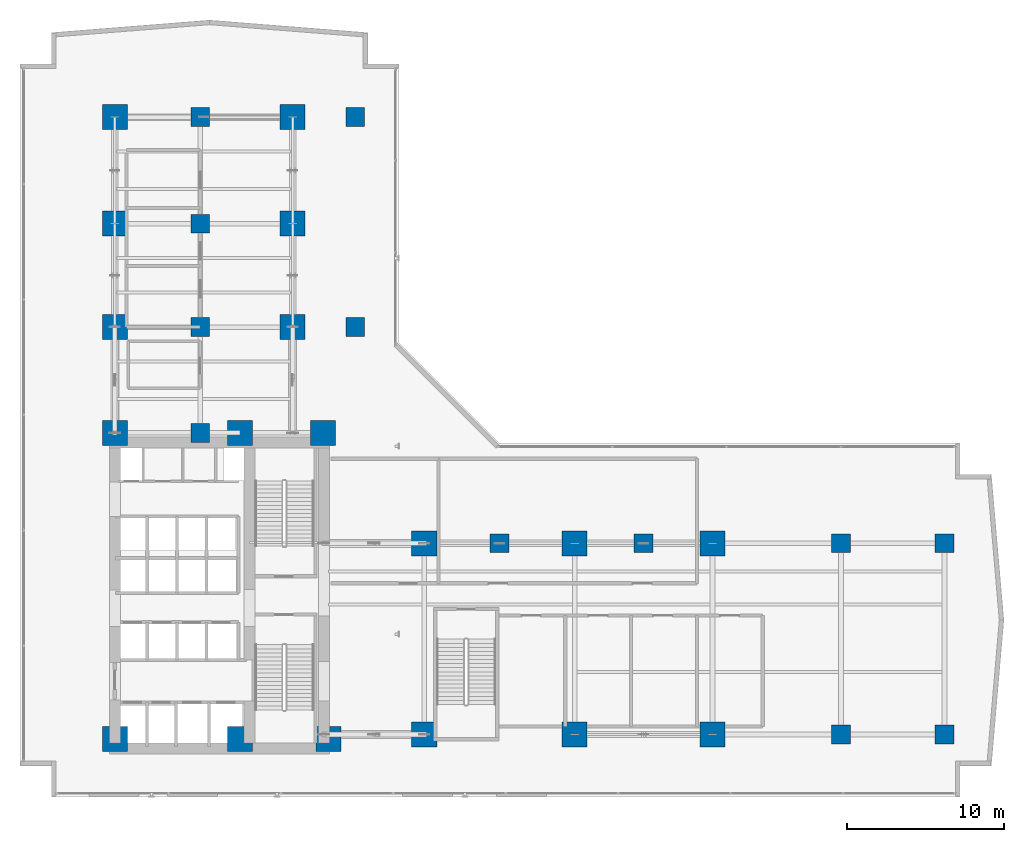
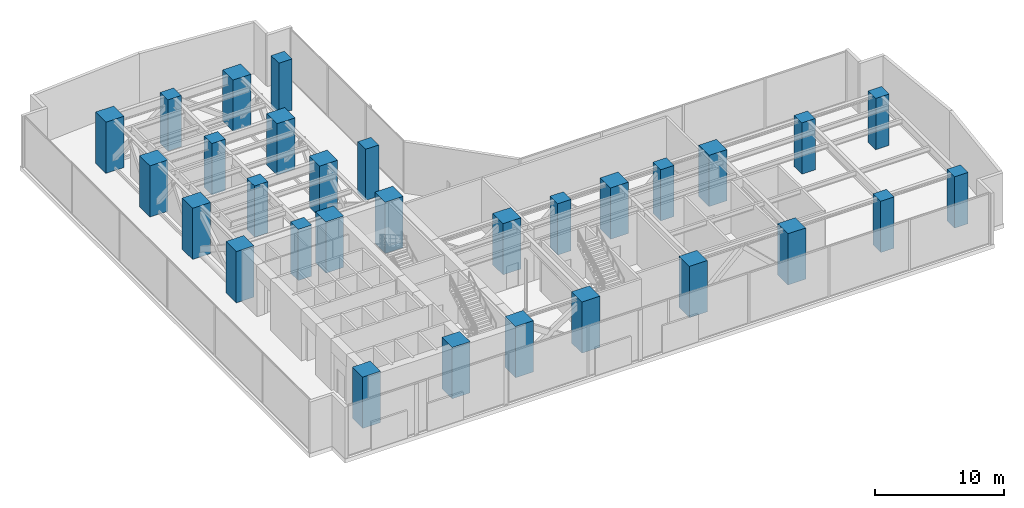
# One storey, part 1 of 36: 30 columns.
"""IFC4 building model written with IfcOpenShell, lengths in metres."""

import ifcopenshell
import ifcopenshell.guid

model = None  # the IFC model being written
_history = None  # IfcOwnerHistory: only IFC2X3 demands one
_inside = {}  # id of a spatial element -> (the spatial element, [elements in it])
_under = {}  # id of a project, library or spatial element -> (it, [spatial elements below it])
_declared = {}  # id of a project -> (the project, [libraries it declares])
_typed = {}  # id of a type object -> (the type object, [elements of that type])
_made_of = {}  # id of a material, layer set ... -> (it, [elements and type objects made of it])


def new_model(schema):
    """Start an empty IFC model of exactly this schema.

    Asked for "IFC4X3", IfcOpenShell would pick the latest addendum, in which some entities
    have other attributes; the version numbers below select the first issue.
    IFC2X3 requires an IfcOwnerHistory on every rooted entity: one is made here for all.
    """
    global model, _history
    if schema == "IFC4X3":
        model = ifcopenshell.file(schema_version=(4, 3, 0, 0))
    else:
        model = ifcopenshell.file(schema=schema)
    _inside.clear()
    _under.clear()
    _declared.clear()
    _typed.clear()
    _made_of.clear()
    _history = None
    if model.schema == "IFC2X3":
        org = make("IfcOrganization", Name="unknown")
        user = make(
            "IfcPersonAndOrganization",
            ThePerson=make("IfcPerson", FamilyName="unknown"),
            TheOrganization=org,
        )
        app = make(
            "IfcApplication",
            ApplicationDeveloper=org,
            Version="unknown",
            ApplicationFullName="unknown",
            ApplicationIdentifier="unknown",
        )
        _history = make(
            "IfcOwnerHistory",
            OwningUser=user,
            OwningApplication=app,
            ChangeAction="ADDED",
            CreationDate=0,
        )
    return model


def make(cls, **values):
    """One entity of the class cls with the attributes given. An attribute that is None is left unset."""
    return model.create_entity(
        cls, **{name: value for name, value in values.items() if value is not None}
    )


def rooted(cls, **values):
    """An entity with a GlobalId (a new one), such as an element, a storey or a relation."""
    return make(cls, GlobalId=ifcopenshell.guid.new(), OwnerHistory=_history, **values)


def si_unit(unit_type, name, prefix=None):
    """IfcSIUnit, for example si_unit("LENGTHUNIT", "METRE", prefix="MILLI")."""
    return make("IfcSIUnit", UnitType=unit_type, Prefix=prefix, Name=name)


def assignment(units):
    """IfcUnitAssignment: the units of a project."""
    return None if units is None else make("IfcUnitAssignment", Units=units)


def point(xyz):
    """IfcCartesianPoint."""
    return None if xyz is None else make("IfcCartesianPoint", Coordinates=xyz)


def direction(xyz):
    """IfcDirection."""
    return None if xyz is None else make("IfcDirection", DirectionRatios=xyz)


def frame(location, z_axis=None, x_axis=None):
    """IfcAxis2Placement3D, a coordinate frame: its origin and axes. An axis left out is left unset."""
    return make(
        "IfcAxis2Placement3D",
        Location=point(location),
        Axis=direction(z_axis),
        RefDirection=direction(x_axis),
    )


def frame_2d(location, x_axis=None):
    """IfcAxis2Placement2D, a coordinate frame in the plane: its origin and x axis."""
    return make(
        "IfcAxis2Placement2D", Location=point(location), RefDirection=direction(x_axis)
    )


def origin():
    """The frame at (0, 0, 0) with its axes left unset."""
    return frame((0.0, 0.0, 0.0))


def origin_2d():
    """The frame at (0, 0) in the plane with its x axis left unset."""
    return frame_2d((0.0, 0.0))


def place(relative_to, where):
    """IfcLocalPlacement: puts the frame where relative to a parent placement (None: the world)."""
    return make(
        "IfcLocalPlacement", PlacementRelTo=relative_to, RelativePlacement=where
    )


def context(
    kind, dimensions, precision=None, world=None, true_north=None, identifier=None
):
    """IfcGeometricRepresentationContext, for example the 3D "Model" context."""
    return make(
        "IfcGeometricRepresentationContext",
        ContextIdentifier=identifier,
        ContextType=kind,
        CoordinateSpaceDimension=dimensions,
        Precision=precision,
        WorldCoordinateSystem=world,
        TrueNorth=true_north,
    )


def subcontext(parent, identifier, kind, view, scale=None):
    """IfcGeometricRepresentationSubContext, for example "Body" below "Model"."""
    return make(
        "IfcGeometricRepresentationSubContext",
        ContextIdentifier=identifier,
        ContextType=kind,
        ParentContext=parent,
        TargetScale=scale,
        TargetView=view,
    )


def project(units=None, contexts=None):
    """IfcProject with its units and contexts."""
    return rooted(
        "IfcProject",
        Name="project",
        RepresentationContexts=contexts,
        UnitsInContext=assignment(units),
    )


def spatial(cls, under=None, at=None, **own):
    """A site, building, storey or space (cls), placed at a placement, below another one or the project."""
    s = rooted(cls, ObjectPlacement=at, **own)
    if under is not None:
        _under.setdefault(under.id(), (under, []))[1].append(s)
    return s


def profile(cls, at=None, kind="AREA", **sizes):
    """A parametric profile (cls). Its sizes go by their IFC names, for example OverallWidth=200.0."""
    return make(cls, ProfileType=kind, Position=at, **sizes)


def rectangle(**sizes):
    """IfcRectangleProfileDef."""
    return profile("IfcRectangleProfileDef", **sizes)


def extrude(swept, where, along, depth):
    """IfcExtrudedAreaSolid: the profile swept, set in the frame where, extruded along a direction by depth."""
    return make(
        "IfcExtrudedAreaSolid",
        SweptArea=swept,
        Position=where,
        ExtrudedDirection=direction(along),
        Depth=depth,
    )


def shape(context_of_items, identifier, shape_type, items):
    """IfcShapeRepresentation: the items that make up one representation, for example the "Body"."""
    return make(
        "IfcShapeRepresentation",
        ContextOfItems=context_of_items,
        RepresentationIdentifier=identifier,
        RepresentationType=shape_type,
        Items=items,
    )


def material(Name=None, Category=None):
    """IfcMaterial."""
    return make("IfcMaterial", Name=Name, Category=Category)


def material_profile(
    of_material, cross_section, Name=None, Category=None, Priority=None
):
    """IfcMaterialProfile: a cross section and its material."""
    return make(
        "IfcMaterialProfile",
        Name=Name,
        Material=of_material,
        Profile=cross_section,
        Priority=Priority,
        Category=Category,
    )


def profile_set(profiles, Name=None, composite=None):
    """IfcMaterialProfileSet."""
    return make(
        "IfcMaterialProfileSet",
        Name=Name,
        MaterialProfiles=profiles,
        CompositeProfile=composite,
    )


def made_of(thing, what):
    """Note that an element or type object is made of a material, layer set ...; save() writes the relation."""
    if what is not None:
        _made_of.setdefault(what.id(), (what, []))[1].append(thing)
    return thing


def type_object(cls, material=None, **own):
    """A type object (cls), such as IfcWallType, which elements share."""
    return made_of(rooted(cls, **own), material)


def element(
    cls,
    number,
    at=None,
    inside=None,
    cuts=None,
    type_object=None,
    material=None,
    context=None,
    identifier="Body",
    shape_type=None,
    held_by="IfcProductDefinitionShape",
    body=None,
    shapes=None,
    **own,
):
    """One element of the class cls, such as IfcWall. Its Tag is "e" and its number.

    at: its placement. inside: the storey or other place that contains it. cuts: it is an
    opening in that element (IfcRelVoidsElement). A single representation is given by context,
    identifier, shape_type and body (its items); several are given by shapes. held_by: the class
    of the entity that holds the representations. save() writes the other relations.
    """
    e = rooted(cls, Tag="e%d" % number, ObjectPlacement=at, **own)
    if body is not None:
        shapes = [shape(context, identifier, shape_type, body)]
    if shapes is not None:
        e.Representation = make(held_by, Representations=shapes)
    if inside is not None:
        _inside.setdefault(inside.id(), (inside, []))[1].append(e)
    if cuts is not None:
        rooted(
            "IfcRelVoidsElement", RelatingBuildingElement=cuts, RelatedOpeningElement=e
        )
    if type_object is not None:
        _typed.setdefault(type_object.id(), (type_object, []))[1].append(e)
    return made_of(e, material)


def aggregate(whole, parts):
    """IfcRelAggregates: a whole, such as a stair, and the parts it consists of."""
    return rooted("IfcRelAggregates", RelatingObject=whole, RelatedObjects=parts)


def save(model, path):
    """Write the relations noted so far, then the file.

    IfcRelAggregates (storeys below a building ...), IfcRelContainedInSpatialStructure (elements
    in a storey), IfcRelDefinesByType, IfcRelAssociatesMaterial and IfcRelDeclares: one each for
    every whole, place, type object, material and project.
    """
    for whole, parts in _under.values():
        aggregate(whole, parts)
    for where, things in _inside.values():
        rooted(
            "IfcRelContainedInSpatialStructure",
            RelatedElements=things,
            RelatingStructure=where,
        )
    for kind, things in _typed.values():
        rooted("IfcRelDefinesByType", RelatedObjects=things, RelatingType=kind)
    for what, things in _made_of.values():
        rooted("IfcRelAssociatesMaterial", RelatedObjects=things, RelatingMaterial=what)
    for by, libraries in _declared.values():
        rooted("IfcRelDeclares", RelatingContext=by, RelatedDefinitions=libraries)
    model.write(path)


model = new_model("IFC4")

# Units and contexts
model_context = context("Model", 3, precision=1e-05, world=origin(), true_north=direction((0.0, 1.0)))
body_context = subcontext(model_context, "Body", "Model", "MODEL_VIEW")
ifc_project = project(units=[si_unit("LENGTHUNIT", "METRE"), si_unit("AREAUNIT", "SQUARE_METRE"), si_unit("VOLUMEUNIT", "CUBIC_METRE"), si_unit("PLANEANGLEUNIT", "RADIAN"), si_unit("MASSUNIT", "GRAM", prefix="KILO")], contexts=[model_context])

# Site, building, storey
site_placement = place(None, origin())
site = spatial("IfcSite", under=ifc_project, at=site_placement, CompositionType="ELEMENT")
building_placement = place(site_placement, origin())
building = spatial("IfcBuilding", under=site, at=building_placement, Name="Kolvaren Waterfront Exchange", CompositionType="ELEMENT")
storey_placement = place(building_placement, frame((0.0, 0.0, 82.800048828125)))
storey = spatial("IfcBuildingStorey", under=building, at=storey_placement, Name="L21", CompositionType="ELEMENT", Elevation=82.800048828125)

# Columns
ifc_material = material(Name="Concrete C70/85", Category="concrete")
ifc_material_profile_1 = material_profile(ifc_material, rectangle(XDim=1.199951171875, YDim=1.199951171875, at=origin_2d()), Name="RC-COL-1200x1200")
ifc_profile_set_1 = profile_set([ifc_material_profile_1], Name="Concrete C70/85")
column_type_1 = type_object("IfcColumnType", Name="STR-COL-1200-C70", PredefinedType="COLUMN", material=ifc_profile_set_1)
for number, where, z_axis, x_axis, name in (
    (1, (53.800048828125, 5.199951171875, 0.0), (0.0, 0.0, 1.0), (1.0, 0.0, 0.0), "L21 column ZC01"),
    (2, (53.800048828125, 17.39990234375, 0.0), (0.0, 0.0, 1.0), (1.0, 0.0, 0.0), "L21 column ZC02"),
    (3, (60.39990234375, 5.199951171875, 0.0), (0.0, 0.0, 1.0), (1.0, 0.0, 0.0), "L21 column ZC03"),
    (4, (60.39990234375, 17.39990234375, 0.0), (0.0, 0.0, 1.0), (1.0, 0.0, 0.0), "L21 column ZC04"),
    (5, (22.800048828125, 31.199951171875, 0.0), (0.0, 0.0, 1.0), (1.0, 0.0, 0.0), "L21 column ZC05"),
    (6, (22.800048828125, 44.60009765625, 0.0), (0.0, 0.0, 1.0), (1.0, 0.0, 0.0), "L21 column ZC06"),
    (7, (12.89990234375, 24.449951171875, 0.0), (0.0, 0.0, 1.0), (1.0, 0.0, 0.0), "L21 column TC01"),
    (8, (12.89990234375, 31.199951171875, 0.0), (0.0, 0.0, 1.0), (1.0, 0.0, 0.0), "L21 column TC02"),
    (9, (12.89990234375, 37.800048828125, 0.0), (0.0, 0.0, 1.0), (1.0, 0.0, 0.0), "L21 column TC03"),
    (10, (12.89990234375, 44.60009765625, 0.0), (0.0, 0.0, 1.0), (1.0, 0.0, 0.0), "L21 column TC04"),
    (11, (32.0, 17.39990234375, 0.0), (0.0, 0.0, 1.0), (1.0, 0.0, 0.0), "L21 column TC05"),
    (12, (41.199951171875, 17.39990234375, 0.0), (0.0, 0.0, 1.0), (1.0, 0.0, 0.0), "L21 column TC06"),
):
    element("IfcColumn", number, at=place(storey_placement, frame(where, z_axis=z_axis, x_axis=x_axis)), inside=storey, type_object=column_type_1, Name=name, PredefinedType="COLUMN", context=body_context, shape_type="SweptSolid", body=[
        extrude(rectangle(XDim=1.199951171875, YDim=1.199951171875, at=origin_2d()), origin(), (0.0, 0.0, 1.0), 4.83984375),
    ])
ifc_material_profile_2 = material_profile(ifc_material, rectangle(XDim=1.60009765625, YDim=1.60009765625, at=origin_2d()), Name="RC-COL-1600x1600")
ifc_profile_set_2 = profile_set([ifc_material_profile_2], Name="Concrete C70/85")
column_type_2 = type_object("IfcColumnType", Name="STR-COL-1600-C70", PredefinedType="COLUMN", material=ifc_profile_set_2)
for number, where, z_axis, x_axis, name in (
    (13, (7.449951171875, 4.89990234375, 0.0), (0.0, 0.0, 1.0), (1.0, 0.0, 0.0), "L21 column MC01"),
    (14, (15.449951171875, 4.89990234375, 0.0), (0.0, 0.0, 1.0), (1.0, 0.0, 0.0), "L21 column MC02"),
    (15, (21.10009765625, 4.89990234375, 0.0), (0.0, 0.0, 1.0), (1.0, 0.0, 0.0), "L21 column MC03"),
    (16, (7.449951171875, 24.449951171875, 0.0), (0.0, 0.0, 1.0), (1.0, 0.0, 0.0), "L21 column MC04"),
    (17, (15.449951171875, 24.449951171875, 0.0), (0.0, 0.0, 1.0), (1.0, 0.0, 0.0), "L21 column MC05"),
    (18, (20.75, 24.449951171875, 0.0), (0.0, 0.0, 1.0), (1.0, 0.0, 0.0), "L21 column MC06"),
    (19, (7.449951171875, 31.199951171875, 0.0), (0.0, 0.0, 1.0), (1.0, 0.0, 0.0), "L21 column NC01"),
    (20, (7.449951171875, 37.800048828125, 0.0), (0.0, 0.0, 1.0), (1.0, 0.0, 0.0), "L21 column NC02"),
    (21, (7.449951171875, 44.60009765625, 0.0), (0.0, 0.0, 1.0), (1.0, 0.0, 0.0), "L21 column NC03"),
    (22, (18.800048828125, 31.199951171875, 0.0), (0.0, 0.0, 1.0), (1.0, 0.0, 0.0), "L21 column NC04"),
    (23, (18.800048828125, 37.800048828125, 0.0), (0.0, 0.0, 1.0), (1.0, 0.0, 0.0), "L21 column NC05"),
    (24, (18.800048828125, 44.60009765625, 0.0), (0.0, 0.0, 1.0), (1.0, 0.0, 0.0), "L21 column NC06"),
    (25, (27.199951171875, 5.199951171875, 0.0), (0.0, 0.0, 1.0), (1.0, 0.0, 0.0), "L21 column EC01"),
    (26, (36.800048828125, 5.199951171875, 0.0), (0.0, 0.0, 1.0), (1.0, 0.0, 0.0), "L21 column EC02"),
    (27, (45.60009765625, 5.199951171875, 0.0), (0.0, 0.0, 1.0), (1.0, 0.0, 0.0), "L21 column EC03"),
    (28, (27.199951171875, 17.39990234375, 0.0), (0.0, 0.0, 1.0), (1.0, 0.0, 0.0), "L21 column EC04"),
    (29, (36.800048828125, 17.39990234375, 0.0), (0.0, 0.0, 1.0), (1.0, 0.0, 0.0), "L21 column EC05"),
    (30, (45.60009765625, 17.39990234375, 0.0), (0.0, 0.0, 1.0), (1.0, 0.0, 0.0), "L21 column EC06"),
):
    element("IfcColumn", number, at=place(storey_placement, frame(where, z_axis=z_axis, x_axis=x_axis)), inside=storey, type_object=column_type_2, Name=name, PredefinedType="COLUMN", context=body_context, shape_type="SweptSolid", body=[
        extrude(rectangle(XDim=1.60009765625, YDim=1.60009765625, at=origin_2d()), origin(), (0.0, 0.0, 1.0), 4.83984375),
    ])

save(model, "model.ifc")
